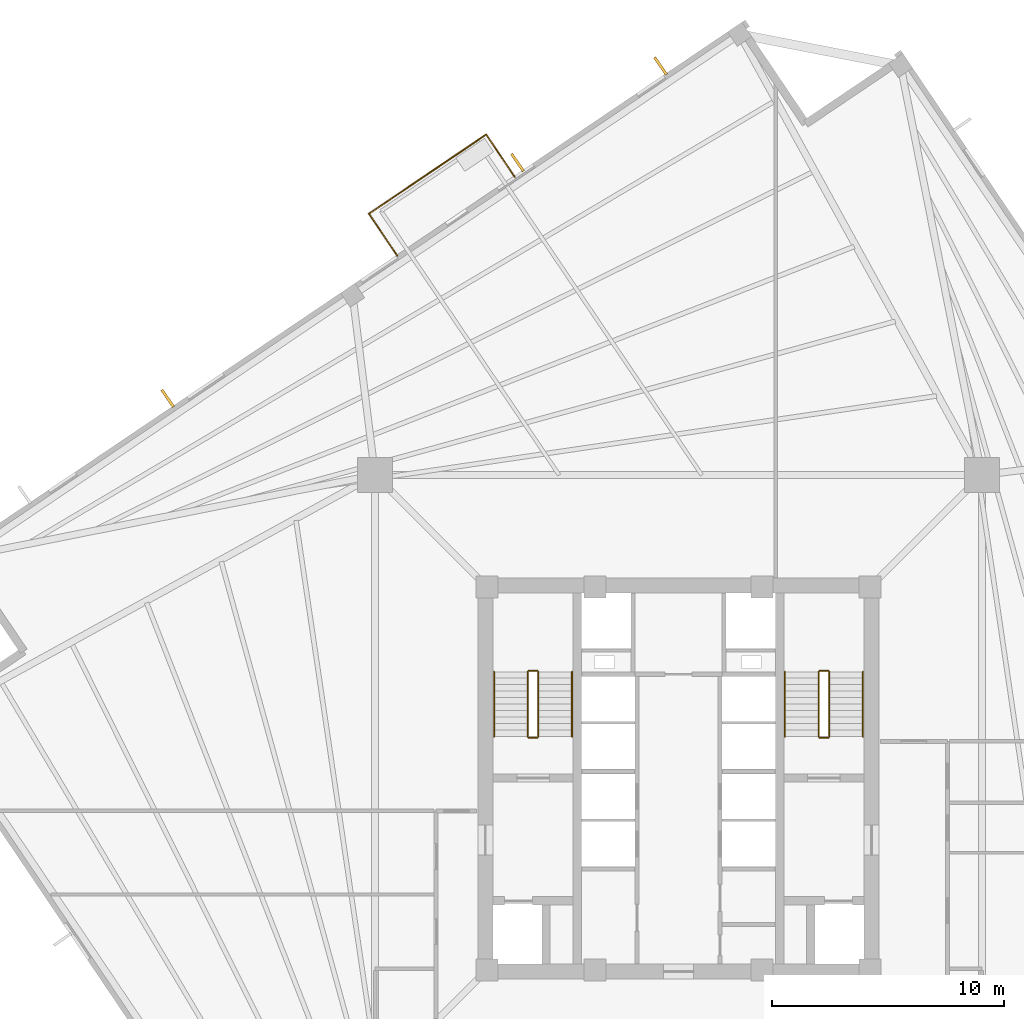
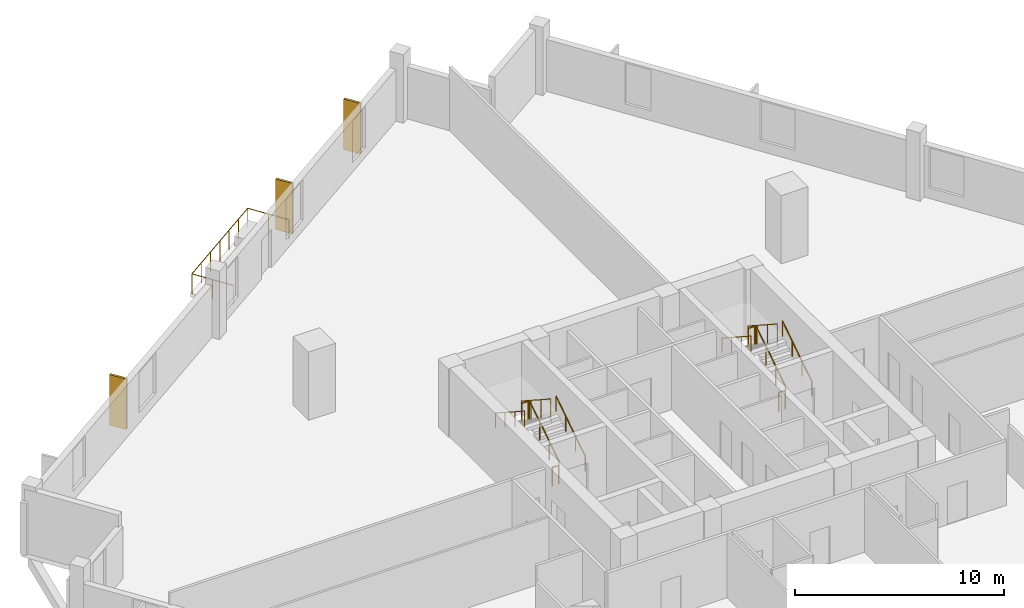
# One storey, part 7 of 8: 15 railings, 3 coverings.
"""IFC4 building model written with IfcOpenShell, lengths in metres."""

from ifc_helpers import new_model, si_unit, direction, frame, origin, origin_2d, place, context, subcontext, project, spatial, rectangle, circle, extrude, source, transform, mapped, material, layer, layer_set, type_object, element, save


model = new_model("IFC4")

# Units and contexts
model_context = context("Model", 3, precision=1e-05, world=origin(), true_north=direction((0.0, 1.0)))
body_context = subcontext(model_context, "Body", "Model", "MODEL_VIEW")
ifc_project = project(units=[si_unit("LENGTHUNIT", "METRE"), si_unit("AREAUNIT", "SQUARE_METRE"), si_unit("VOLUMEUNIT", "CUBIC_METRE"), si_unit("PLANEANGLEUNIT", "RADIAN"), si_unit("MASSUNIT", "GRAM", prefix="KILO"), si_unit("THERMODYNAMICTEMPERATUREUNIT", "KELVIN")], contexts=[model_context])

# Site, building, storey
site_placement = place(None, origin())
site = spatial("IfcSite", under=ifc_project, at=site_placement, CompositionType="ELEMENT")
building_placement = place(site_placement, origin())
building = spatial("IfcBuilding", under=site, at=building_placement, Name="Kosmvard Interchange Tower", CompositionType="ELEMENT")
storey_placement = place(building_placement, frame((0.0, 0.0, 176.39990234375)))
storey = spatial("IfcBuildingStorey", under=building, at=storey_placement, Name="L42", CompositionType="ELEMENT", Elevation=176.39990234375)

# Coverings
ifc_material_1 = material(Name="Architectural anodised aluminium", Category="aluminium")
ifc_layer = layer(ifc_material_1, 0.1201171875, Name="Architectural anodised aluminium")
ifc_layer_set = layer_set([ifc_layer], Name="Architectural anodised aluminium")
covering_type = type_object("IfcCoveringType", Name="Rotating Vertical Sun-Breaker Fin 900x120 Aluminium", PredefinedType="CLADDING", material=ifc_layer_set)
shared_shape_1 = source(origin(), body_context, "Body", "SweptSolid", [
    extrude(rectangle(XDim=0.89990234375, YDim=0.1201171875, at=origin_2d()), origin(), (0.0, 0.0, 1.0), 2.9599609375),
])
for number, where, z_axis, x_axis, name in (
    (1, (-0.774169921875, 30.718994140625, 0.0400390625), (0.0, 0.0, 1.0), (-0.568992506345, 0.82234270698, 0.0), "L42 Rotating Vertical Sun-Breaker Fin 09"),
    (2, (-6.943115234375, 26.557861328125, 0.0400390625), (0.0, 0.0, 1.0), (-0.568992506345, 0.82234270698, 0.0), "L42 Rotating Vertical Sun-Breaker Fin 10"),
    (3, (-22.02294921875, 16.38623046875, 0.0400390625), (0.0, 0.0, 1.0), (-0.568992506345, 0.82234270698, 0.0), "L42 Rotating Vertical Sun-Breaker Fin 11"),
):
    element("IfcCovering", number, at=place(storey_placement, frame(where, z_axis=z_axis, x_axis=x_axis)), inside=storey, type_object=covering_type, Name=name, PredefinedType="CLADDING", context=body_context, shape_type="MappedRepresentation", body=[
        mapped(shared_shape_1, transform((0.0, 0.0, 0.0), scale=1.0)),
    ])

# Railings
ifc_material_2 = material(Name="Steel S355", Category="steel")
railing_type_1 = type_object("IfcRailingType", Name="Observation & Balcony Glass-Infill Balustrade 1150", PredefinedType="BALUSTRADE", material=ifc_material_2)
shared_shape_2 = source(origin(), body_context, "Body", "SweptSolid", [
    extrude(circle(Radius=0.02392578125, at=origin_2d()), frame((0.0, 0.0, 1.1259765625), z_axis=(0.559173597279, -0.829050594418, 0.0), x_axis=(0.829050594418, 0.559173597279, 0.0)), (0.0, 0.0, 1.0), 2.2001953125),
    extrude(circle(Radius=0.02099609375, at=origin_2d()), origin(), (0.0, 0.0, 1.0), 1.101806640625),
    extrude(circle(Radius=0.02099609375, at=origin_2d()), frame((0.615234375, -0.912109375, 0.0)), (0.0, 0.0, 1.0), 1.101806640625),
    extrude(circle(Radius=0.02099609375, at=origin_2d()), frame((1.230224609375, -1.823974609375, 0.0)), (0.0, 0.0, 1.0), 1.101806640625),
])
railing_1_placement = place(storey_placement, frame((-13.34765625, 24.348876953125, 0.0)))
element("IfcRailing", 4, at=railing_1_placement, inside=storey, type_object=railing_type_1, Name="L42 Outdoor Terrace Guard BAL-L42-N-C", PredefinedType="BALUSTRADE", context=body_context, shape_type="MappedRepresentation", body=[
    mapped(shared_shape_2, transform((0.0, 0.0, 0.0), scale=1.0)),
])
shared_shape_3 = source(origin(), body_context, "Body", "SweptSolid", [
    extrude(circle(Radius=0.02392578125, at=origin_2d()), frame((0.0, 0.0, 1.1259765625), z_axis=(-0.559173597279, 0.829050594418, 0.0), x_axis=(-0.829050594418, -0.559173597279, 0.0)), (0.0, 0.0, 1.0), 2.2001953125),
    extrude(circle(Radius=0.02099609375, at=origin_2d()), origin(), (0.0, 0.0, 1.0), 1.101806640625),
    extrude(circle(Radius=0.02099609375, at=origin_2d()), frame((-0.615234375, 0.912109375, 0.0)), (0.0, 0.0, 1.0), 1.101806640625),
    extrude(circle(Radius=0.02099609375, at=origin_2d()), frame((-1.230224609375, 1.823974609375, 0.0)), (0.0, 0.0, 1.0), 1.101806640625),
])
railing_2_placement = place(storey_placement, frame((-7.060302734375, 25.93603515625, 0.0)))
element("IfcRailing", 5, at=railing_2_placement, inside=storey, type_object=railing_type_1, Name="L42 Outdoor Terrace Guard BAL-L42-N-A", PredefinedType="BALUSTRADE", context=body_context, shape_type="MappedRepresentation", body=[
    mapped(shared_shape_3, transform((0.0, 0.0, 0.0), scale=1.0)),
])
shared_shape_4 = source(origin(), body_context, "Body", "SweptSolid", [
    extrude(circle(Radius=0.02392578125, at=origin_2d()), frame((0.0, 0.0, 1.1259765625), z_axis=(-0.829033294248, -0.55919924627, 0.0), x_axis=(0.55919924627, -0.829033294248, 0.0)), (0.0, 0.0, 1.0), 6.10009765625),
    extrude(circle(Radius=0.02099609375, at=origin_2d()), origin(), (0.0, 0.0, 1.0), 1.101806640625),
    extrude(circle(Radius=0.02099609375, at=origin_2d()), frame((-0.8427734375, -0.568603515625, 0.0)), (0.0, 0.0, 1.0), 1.101806640625),
    extrude(circle(Radius=0.02099609375, at=origin_2d()), frame((-1.685791015625, -1.136962890625, 0.0)), (0.0, 0.0, 1.0), 1.101806640625),
    extrude(circle(Radius=0.02099609375, at=origin_2d()), frame((-2.528564453125, -1.70556640625, 0.0)), (0.0, 0.0, 1.0), 1.101806640625),
    extrude(circle(Radius=0.02099609375, at=origin_2d()), frame((-3.371337890625, -2.274169921875, 0.0)), (0.0, 0.0, 1.0), 1.101806640625),
    extrude(circle(Radius=0.02099609375, at=origin_2d()), frame((-4.21435546875, -2.842529296875, 0.0)), (0.0, 0.0, 1.0), 1.101806640625),
    extrude(circle(Radius=0.02099609375, at=origin_2d()), frame((-5.05712890625, -3.4111328125, 0.0)), (0.0, 0.0, 1.0), 1.101806640625),
])
railing_3_placement = place(storey_placement, frame((-8.29052734375, 27.760009765625, 0.0)))
element("IfcRailing", 6, at=railing_3_placement, inside=storey, type_object=railing_type_1, Name="L42 Outdoor Terrace Guard BAL-L42-N-B", PredefinedType="BALUSTRADE", context=body_context, shape_type="MappedRepresentation", body=[
    mapped(shared_shape_4, transform((0.0, 0.0, 0.0), scale=1.0)),
])
railing_type_2 = type_object("IfcRailingType", Name="Stair & Terrace Safety Guardrail 1100 Steel", PredefinedType="GUARDRAIL", material=ifc_material_2)
shared_shape_5 = source(origin(), body_context, "Body", "SweptSolid", [
    extrude(circle(Radius=0.02392578125, at=origin_2d()), frame((0.0, 0.0, 1.076171875), z_axis=(-1.0, 0.0, 0.0), x_axis=(0.0, -1.0, 0.0)), (0.0, 0.0, 1.0), 0.35986328125),
    extrude(circle(Radius=0.02099609375, at=origin_2d()), origin(), (0.0, 0.0, 1.0), 1.052001953125),
    extrude(circle(Radius=0.02099609375, at=origin_2d()), frame((-0.35986328125, 0.0, 0.0)), (0.0, 0.0, 1.0), 1.052001953125),
])
for number, where, name in (
    (7, (-6.090087890625, 4.64990234375, 2.0), "L42 ST-1 stair guard 2"),
    (8, (-6.090087890625, 1.75, 0.0), "L42 ST-1 stair guard 4"),
    (9, (6.449951171875, 4.64990234375, 2.0), "L42 ST-2 stair guard 2"),
    (10, (6.449951171875, 1.75, 0.0), "L42 ST-2 stair guard 4"),
):
    element("IfcRailing", number, at=place(storey_placement, frame(where)), inside=storey, type_object=railing_type_2, Name=name, PredefinedType="GUARDRAIL", context=body_context, shape_type="MappedRepresentation", body=[
        mapped(shared_shape_5, transform((0.0, 0.0, 0.0), scale=1.0)),
    ])
shared_shape_6 = source(origin(), body_context, "Body", "SweptSolid", [
    extrude(circle(Radius=0.02392578125, at=origin_2d()), frame((0.0, 0.0, 1.076171875), z_axis=(0.0, 0.838705829183, 0.544584733623), x_axis=(-1.0, 0.0, 0.0)), (0.0, 0.0, 1.0), 3.338623046875),
    extrude(circle(Radius=0.02099609375, at=origin_2d()), origin(), (0.0, 0.0, 1.0), 1.052001953125),
    extrude(circle(Radius=0.02099609375, at=origin_2d()), frame((0.0, 0.933349609375, 0.60595703125)), (0.0, 0.0, 1.0), 1.052001953125),
    extrude(circle(Radius=0.02099609375, at=origin_2d()), frame((0.0, 1.86669921875, 1.212158203125)), (0.0, 0.0, 1.0), 1.052001953125),
    extrude(circle(Radius=0.02099609375, at=origin_2d()), frame((0.0, 2.800048828125, 1.818115234375)), (0.0, 0.0, 1.0), 1.052001953125),
])
for number, where, name in (
    (11, (-6.0400390625, 1.800048828125, 0.181884765625), "L42 ST-1 stair guard 1"),
    (12, (6.5, 1.800048828125, 0.181884765625), "L42 ST-2 stair guard 1"),
):
    element("IfcRailing", number, at=place(storey_placement, frame(where)), inside=storey, type_object=railing_type_2, Name=name, PredefinedType="GUARDRAIL", context=body_context, shape_type="MappedRepresentation", body=[
        mapped(shared_shape_6, transform((0.0, 0.0, 0.0), scale=1.0)),
    ])
shared_shape_7 = source(origin(), body_context, "Body", "SweptSolid", [
    extrude(circle(Radius=0.02392578125, at=origin_2d()), frame((0.0, 0.0, 1.076171875), z_axis=(0.0, -0.838705829183, 0.544584733623), x_axis=(1.0, 0.0, 0.0)), (0.0, 0.0, 1.0), 3.338623046875),
    extrude(circle(Radius=0.02099609375, at=origin_2d()), origin(), (0.0, 0.0, 1.0), 1.052001953125),
    extrude(circle(Radius=0.02099609375, at=origin_2d()), frame((0.0, -0.933349609375, 0.60595703125)), (0.0, 0.0, 1.0), 1.052001953125),
    extrude(circle(Radius=0.02099609375, at=origin_2d()), frame((0.0, -1.86669921875, 1.212158203125)), (0.0, 0.0, 1.0), 1.052001953125),
    extrude(circle(Radius=0.02099609375, at=origin_2d()), frame((0.0, -2.800048828125, 1.818115234375)), (0.0, 0.0, 1.0), 1.052001953125),
])
for number, where, name in (
    (13, (-6.5, 4.60009765625, 2.181884765625), "L42 ST-1 stair guard 3"),
    (14, (6.0400390625, 4.60009765625, 2.181884765625), "L42 ST-2 stair guard 3"),
):
    element("IfcRailing", number, at=place(storey_placement, frame(where)), inside=storey, type_object=railing_type_2, Name=name, PredefinedType="GUARDRAIL", context=body_context, shape_type="MappedRepresentation", body=[
        mapped(shared_shape_7, transform((0.0, 0.0, 0.0), scale=1.0)),
    ])
railing_type_3 = type_object("IfcRailingType", Name="Wall-Mounted Stair Handrail 900 Steel", PredefinedType="HANDRAIL", material=ifc_material_2)
shared_shape_8 = source(origin(), body_context, "Body", "SweptSolid", [
    extrude(circle(Radius=0.02392578125, at=origin_2d()), frame((0.0, 0.0, 0.8759765625), z_axis=(0.0, 0.838705829183, 0.544584733623), x_axis=(-1.0, 0.0, 0.0)), (0.0, 0.0, 1.0), 3.338623046875),
    extrude(circle(Radius=0.02099609375, at=origin_2d()), origin(), (0.0, 0.0, 1.0), 0.851806640625),
    extrude(circle(Radius=0.02099609375, at=origin_2d()), frame((0.0, 0.933349609375, 0.60595703125)), (0.0, 0.0, 1.0), 0.851806640625),
    extrude(circle(Radius=0.02099609375, at=origin_2d()), frame((0.0, 1.86669921875, 1.212158203125)), (0.0, 0.0, 1.0), 0.851806640625),
    extrude(circle(Radius=0.02099609375, at=origin_2d()), frame((0.0, 2.800048828125, 1.818115234375)), (0.0, 0.0, 1.0), 0.851806640625),
])
for number, where, name in (
    (15, (-4.590087890625, 1.800048828125, 0.181884765625), "L42 ST-1 stair handrail 1"),
    (16, (7.949951171875, 1.800048828125, 0.181884765625), "L42 ST-2 stair handrail 1"),
):
    element("IfcRailing", number, at=place(storey_placement, frame(where)), inside=storey, type_object=railing_type_3, Name=name, PredefinedType="HANDRAIL", context=body_context, shape_type="MappedRepresentation", body=[
        mapped(shared_shape_8, transform((0.0, 0.0, 0.0), scale=1.0)),
    ])
shared_shape_9 = source(origin(), body_context, "Body", "SweptSolid", [
    extrude(circle(Radius=0.02392578125, at=origin_2d()), frame((0.0, 0.0, 0.8759765625), z_axis=(0.0, -0.838705829183, 0.544584733623), x_axis=(1.0, 0.0, 0.0)), (0.0, 0.0, 1.0), 3.338623046875),
    extrude(circle(Radius=0.02099609375, at=origin_2d()), origin(), (0.0, 0.0, 1.0), 0.851806640625),
    extrude(circle(Radius=0.02099609375, at=origin_2d()), frame((0.0, -0.933349609375, 0.60595703125)), (0.0, 0.0, 1.0), 0.851806640625),
    extrude(circle(Radius=0.02099609375, at=origin_2d()), frame((0.0, -1.86669921875, 1.212158203125)), (0.0, 0.0, 1.0), 0.851806640625),
    extrude(circle(Radius=0.02099609375, at=origin_2d()), frame((0.0, -2.800048828125, 1.818115234375)), (0.0, 0.0, 1.0), 0.851806640625),
])
for number, where, name in (
    (17, (-7.949951171875, 4.60009765625, 2.181884765625), "L42 ST-1 stair handrail 2"),
    (18, (4.590087890625, 4.60009765625, 2.181884765625), "L42 ST-2 stair handrail 2"),
):
    element("IfcRailing", number, at=place(storey_placement, frame(where)), inside=storey, type_object=railing_type_3, Name=name, PredefinedType="HANDRAIL", context=body_context, shape_type="MappedRepresentation", body=[
        mapped(shared_shape_9, transform((0.0, 0.0, 0.0), scale=1.0)),
    ])

save(model, "model.ifc")
